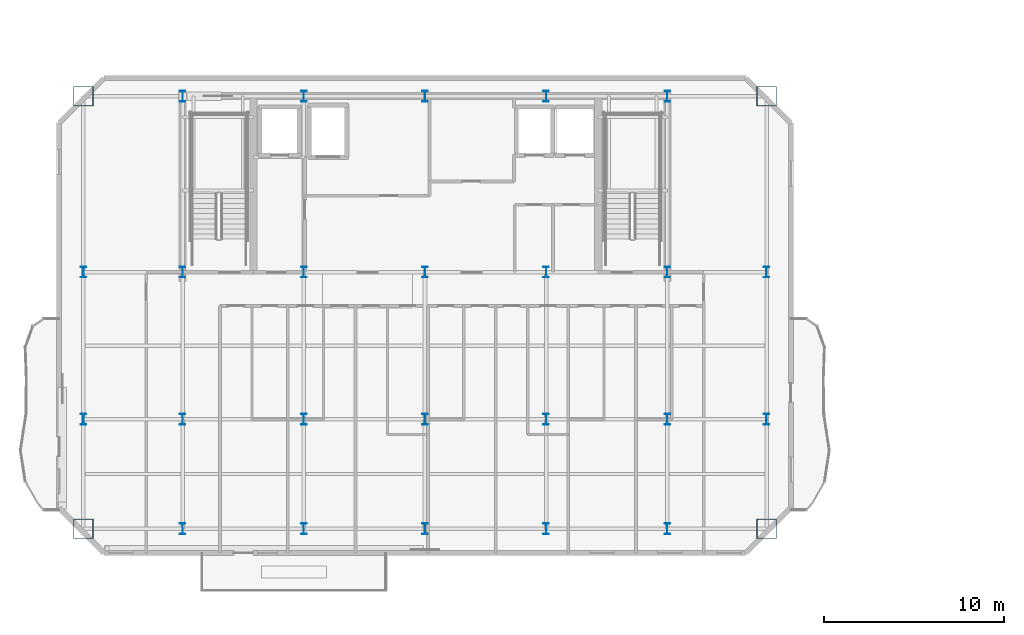
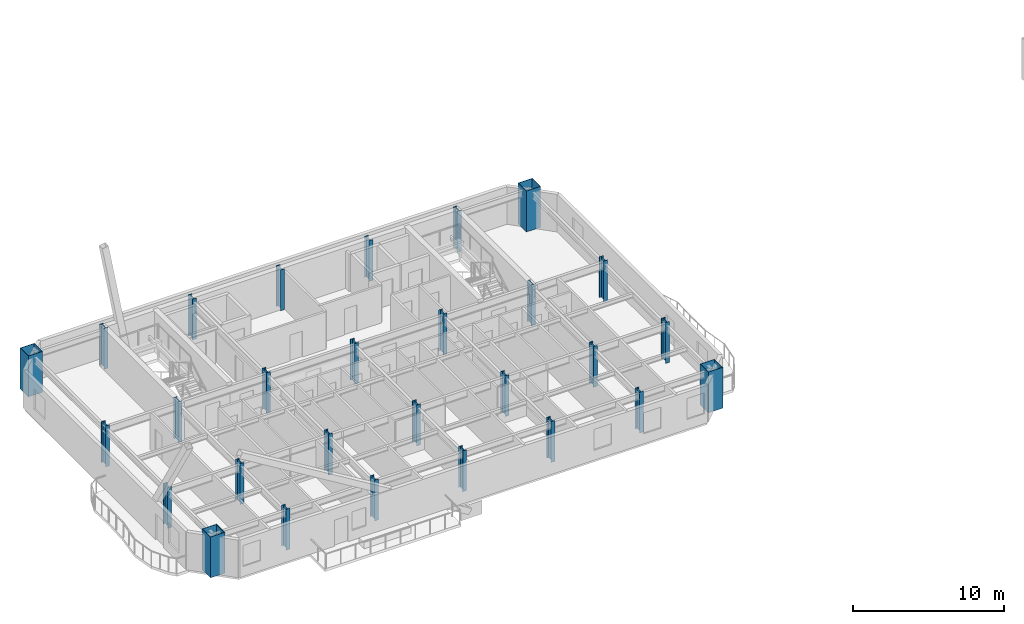
# One storey, part 1 of 14: 28 columns.
"""IFC4 building model written with IfcOpenShell, lengths in metres."""

from ifc_helpers import new_model, si_unit, direction, frame, origin, origin_2d, place, context, subcontext, project, spatial, hollow_rectangle, i_section, extrude, material, material_profile, profile_set, type_object, element, save


model = new_model("IFC4")

# Units and contexts
model_context = context("Model", 3, precision=1e-05, world=origin(), true_north=direction((0.0, 1.0)))
body_context = subcontext(model_context, "Body", "Model", "MODEL_VIEW")
ifc_project = project(units=[si_unit("LENGTHUNIT", "METRE"), si_unit("AREAUNIT", "SQUARE_METRE"), si_unit("VOLUMEUNIT", "CUBIC_METRE"), si_unit("PLANEANGLEUNIT", "RADIAN"), si_unit("MASSUNIT", "GRAM", prefix="KILO")], contexts=[model_context])

# Site, building, storey
site_placement = place(None, origin())
site = spatial("IfcSite", under=ifc_project, at=site_placement, CompositionType="ELEMENT")
building_placement = place(site_placement, origin())
building = spatial("IfcBuilding", under=site, at=building_placement, Name="Haevon Station Towers", CompositionType="ELEMENT")
storey_placement = place(building_placement, frame((0.0, 0.0, 208.800048828125)))
storey = spatial("IfcBuildingStorey", under=building, at=storey_placement, Name="L57", CompositionType="ELEMENT", Elevation=208.800048828125)

# Columns
ifc_material_1 = material(Name="Steel S460", Category="steel")
ifc_material_profile_1 = material_profile(ifc_material_1, hollow_rectangle(XDim=1.10009765625, YDim=1.10009765625, WallThickness=0.031982421875, at=origin_2d()), Name="BOX-1100x1100x32")
ifc_profile_set_1 = profile_set([ifc_material_profile_1], Name="Steel S460")
column_type_1 = type_object("IfcColumnType", Name="COL-MC5", PredefinedType="COLUMN", material=ifc_profile_set_1)
for number, where, z_axis, x_axis, name in (
    (1, (18.47509765625, 23.89990234375, 0.0), (0.0, 0.0, 1.0), (1.0, 0.0, 0.0), "COL-T1-L57-01-01"),
    (2, (18.47509765625, 48.0, 0.0), (0.0, 0.0, 1.0), (1.0, 0.0, 0.0), "COL-T1-L57-01-04"),
    (3, (56.52490234375, 23.89990234375, 0.0), (0.0, 0.0, 1.0), (1.0, 0.0, 0.0), "COL-T1-L57-07-01"),
    (4, (56.52490234375, 48.0, 0.0), (0.0, 0.0, 1.0), (1.0, 0.0, 0.0), "COL-T1-L57-07-04"),
):
    element("IfcColumn", number, at=place(storey_placement, frame(where, z_axis=z_axis, x_axis=x_axis)), inside=storey, type_object=column_type_1, Name=name, PredefinedType="COLUMN", context=body_context, shape_type="SweptSolid", body=[
        extrude(hollow_rectangle(XDim=1.10009765625, YDim=1.10009765625, WallThickness=0.031982421875, at=origin_2d()), origin(), (0.0, 0.0, 1.0), 3.300048828125),
    ])
ifc_material_2 = material(Name="Steel S355", Category="steel")
ifc_material_profile_2 = material_profile(ifc_material_2, i_section(OverallWidth=0.300048828125, OverallDepth=0.60009765625, WebThickness=0.013916015625, FlangeThickness=0.02490234375, at=origin_2d()), Name="H-600x300x14x25")
ifc_profile_set_2 = profile_set([ifc_material_profile_2], Name="Steel S355")
column_type_2 = type_object("IfcColumnType", Name="COL-TW4", PredefinedType="COLUMN", material=ifc_profile_set_2)
for number, where, z_axis, x_axis, name in (
    (5, (18.47509765625, 30.0, 0.0), (0.0, 0.0, 1.0), (1.0, 0.0, 0.0), "COL-T1-L57-01-02"),
    (6, (18.47509765625, 38.199951171875, 0.0), (0.0, 0.0, 1.0), (1.0, 0.0, 0.0), "COL-T1-L57-01-03"),
    (7, (24.0, 23.89990234375, 0.0), (0.0, 0.0, 1.0), (1.0, 0.0, 0.0), "COL-T1-L57-02-01"),
    (8, (24.0, 30.0, 0.0), (0.0, 0.0, 1.0), (1.0, 0.0, 0.0), "COL-T1-L57-02-02"),
    (9, (24.0, 38.199951171875, 0.0), (0.0, 0.0, 1.0), (1.0, 0.0, 0.0), "COL-T1-L57-02-03"),
    (10, (24.0, 48.0, 0.0), (0.0, 0.0, 1.0), (1.0, 0.0, 0.0), "COL-T1-L57-02-04"),
    (11, (30.75, 23.89990234375, 0.0), (0.0, 0.0, 1.0), (1.0, 0.0, 0.0), "COL-T1-L57-03-01"),
    (12, (30.75, 30.0, 0.0), (0.0, 0.0, 1.0), (1.0, 0.0, 0.0), "COL-T1-L57-03-02"),
    (13, (30.75, 38.199951171875, 0.0), (0.0, 0.0, 1.0), (1.0, 0.0, 0.0), "COL-T1-L57-03-03"),
    (14, (30.75, 48.0, 0.0), (0.0, 0.0, 1.0), (1.0, 0.0, 0.0), "COL-T1-L57-03-04"),
    (15, (37.5, 23.89990234375, 0.0), (0.0, 0.0, 1.0), (1.0, 0.0, 0.0), "COL-T1-L57-04-01"),
    (16, (37.5, 30.0, 0.0), (0.0, 0.0, 1.0), (1.0, 0.0, 0.0), "COL-T1-L57-04-02"),
    (17, (37.5, 38.199951171875, 0.0), (0.0, 0.0, 1.0), (1.0, 0.0, 0.0), "COL-T1-L57-04-03"),
    (18, (37.5, 48.0, 0.0), (0.0, 0.0, 1.0), (1.0, 0.0, 0.0), "COL-T1-L57-04-04"),
    (19, (44.25, 23.89990234375, 0.0), (0.0, 0.0, 1.0), (1.0, 0.0, 0.0), "COL-T1-L57-05-01"),
    (20, (44.25, 30.0, 0.0), (0.0, 0.0, 1.0), (1.0, 0.0, 0.0), "COL-T1-L57-05-02"),
    (21, (44.25, 38.199951171875, 0.0), (0.0, 0.0, 1.0), (1.0, 0.0, 0.0), "COL-T1-L57-05-03"),
    (22, (44.25, 48.0, 0.0), (0.0, 0.0, 1.0), (1.0, 0.0, 0.0), "COL-T1-L57-05-04"),
    (23, (51.0, 23.89990234375, 0.0), (0.0, 0.0, 1.0), (1.0, 0.0, 0.0), "COL-T1-L57-06-01"),
    (24, (51.0, 30.0, 0.0), (0.0, 0.0, 1.0), (1.0, 0.0, 0.0), "COL-T1-L57-06-02"),
    (25, (51.0, 38.199951171875, 0.0), (0.0, 0.0, 1.0), (1.0, 0.0, 0.0), "COL-T1-L57-06-03"),
    (26, (51.0, 48.0, 0.0), (0.0, 0.0, 1.0), (1.0, 0.0, 0.0), "COL-T1-L57-06-04"),
    (27, (56.52490234375, 30.0, 0.0), (0.0, 0.0, 1.0), (1.0, 0.0, 0.0), "COL-T1-L57-07-02"),
    (28, (56.52490234375, 38.199951171875, 0.0), (0.0, 0.0, 1.0), (1.0, 0.0, 0.0), "COL-T1-L57-07-03"),
):
    element("IfcColumn", number, at=place(storey_placement, frame(where, z_axis=z_axis, x_axis=x_axis)), inside=storey, type_object=column_type_2, Name=name, PredefinedType="COLUMN", context=body_context, shape_type="SweptSolid", body=[
        extrude(i_section(OverallWidth=0.300048828125, OverallDepth=0.60009765625, WebThickness=0.013916015625, FlangeThickness=0.02490234375, at=origin_2d()), origin(), (0.0, 0.0, 1.0), 3.300048828125),
    ])

save(model, "model.ifc")
